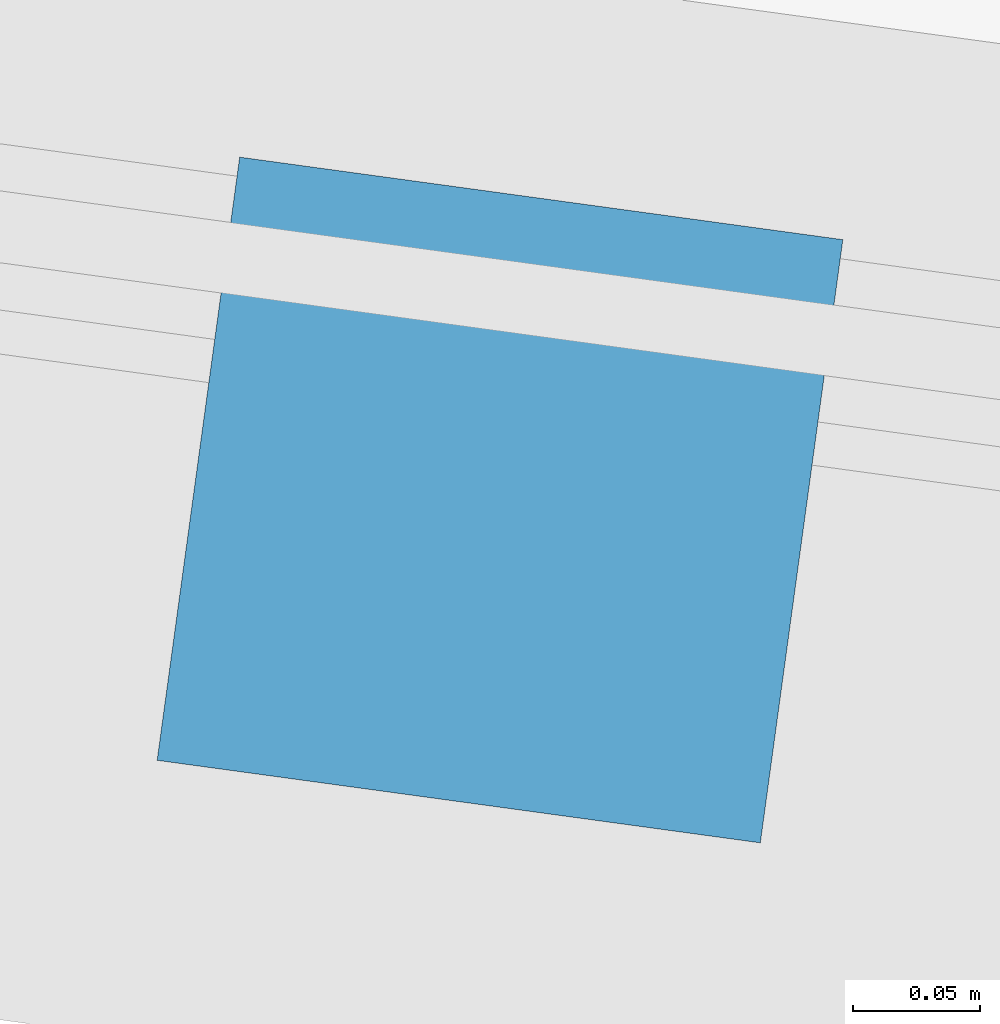
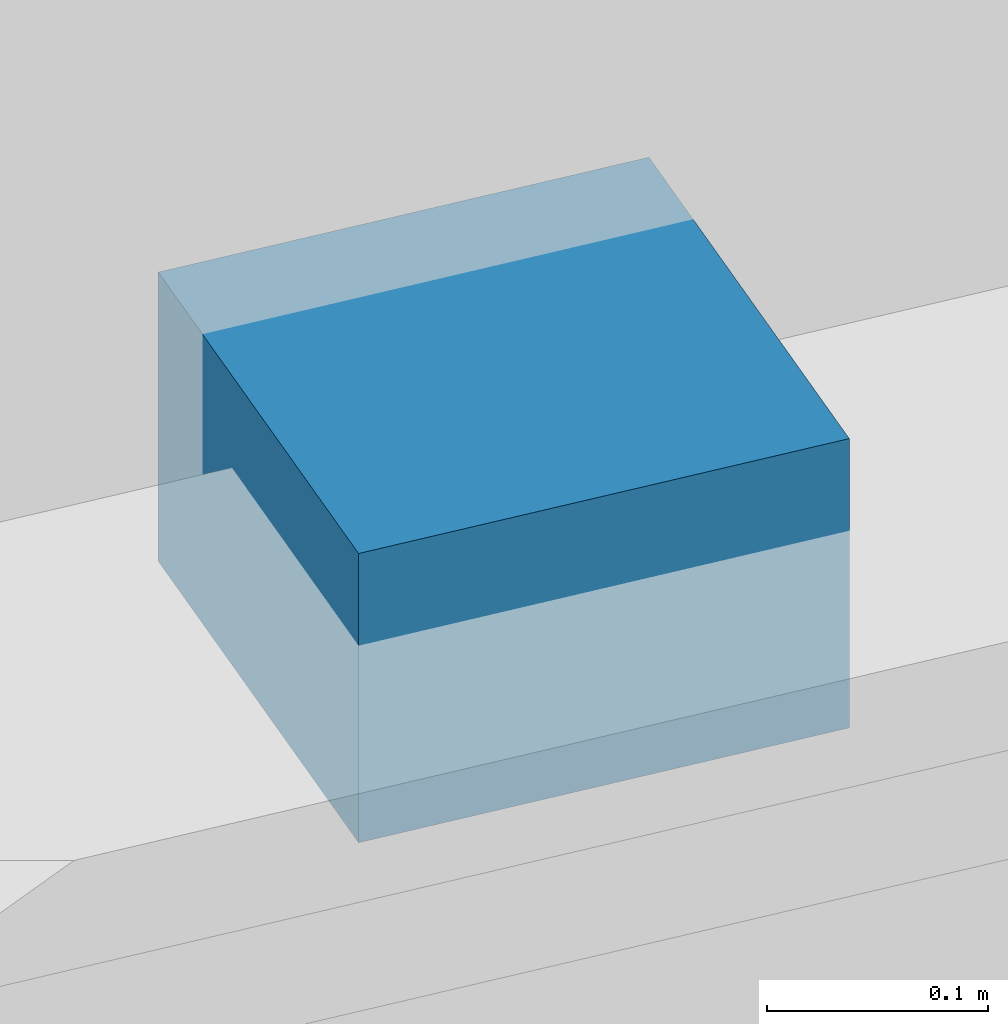
# One storey, part 105 of 113: 1 discrete accessory.
"""IFC4 building model written with IfcOpenShell, lengths in metres."""

from ifc_helpers import new_model, si_unit, direction, frame, origin, origin_2d, place, context, subcontext, project, spatial, rectangle, extrude, material, type_object, element, save


model = new_model("IFC4")

# Units and contexts
model_context = context("Model", 3, precision=1e-05, world=origin(), true_north=direction((0.0, 1.0)))
body_context = subcontext(model_context, "Body", "Model", "MODEL_VIEW")
ifc_project = project(units=[si_unit("LENGTHUNIT", "METRE"), si_unit("AREAUNIT", "SQUARE_METRE"), si_unit("VOLUMEUNIT", "CUBIC_METRE"), si_unit("PLANEANGLEUNIT", "RADIAN"), si_unit("MASSUNIT", "GRAM", prefix="KILO")], contexts=[model_context])

# Site, building, storey
site_placement = place(None, origin())
site = spatial("IfcSite", under=ifc_project, at=site_placement, CompositionType="ELEMENT")
building_placement = place(site_placement, origin())
building = spatial("IfcBuilding", under=site, at=building_placement, Name="Tameran Prism Museum", CompositionType="ELEMENT")
storey_placement = place(building_placement, origin())
storey = spatial("IfcBuildingStorey", under=building, at=storey_placement, Name="L00", CompositionType="ELEMENT", Elevation=0.0)

# Discrete accessory
ifc_material = material(Name="Galvanized Steel Grade 350 (350 MPa)", Category="steel")
discrete_accessory_type = type_object("IfcDiscreteAccessoryType", Name="DA-BRK-STL", PredefinedType="BRACKET", material=ifc_material)
discrete_accessory_placement = place(storey_placement, frame((13.10888671875, 66.02490234375, 3.68994140625), z_axis=(0.0, 0.0, 1.0), x_axis=(-0.990771512217, 0.135542652249, 0.0)))
element("IfcDiscreteAccessory", 1, at=discrete_accessory_placement, inside=storey, type_object=discrete_accessory_type, Name="Facade Sunshade Bracket BK-016", PredefinedType="BRACKET", context=body_context, shape_type="SweptSolid", body=[
    extrude(rectangle(XDim=0.239990234375, YDim=0.239990234375, at=origin_2d()), origin(), (0.0, 0.0, 1.0), 0.159912109375),
])

save(model, "model.ifc")
